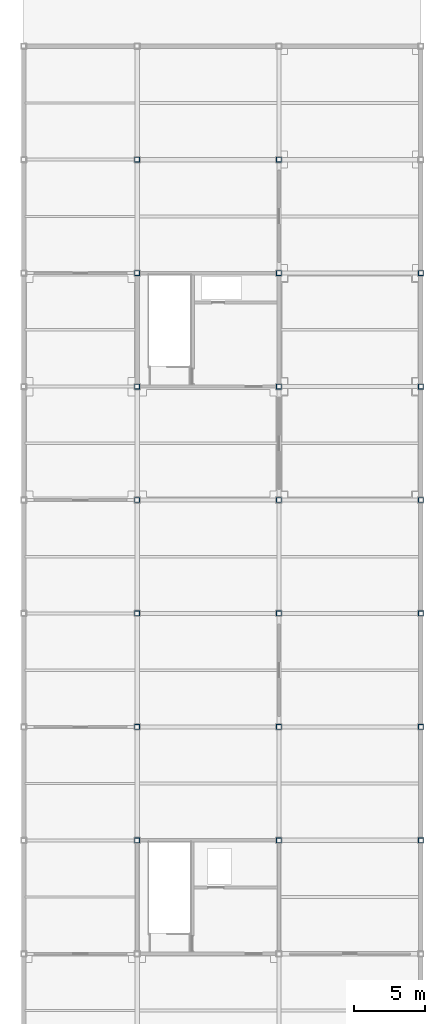
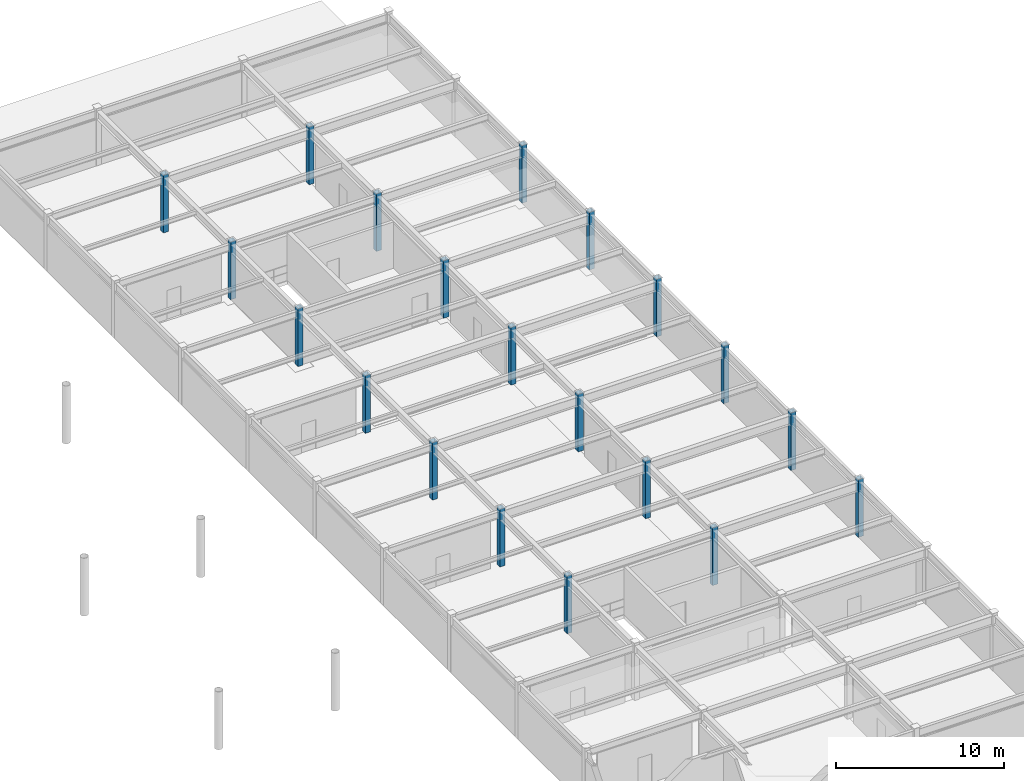
# One storey, part 14 of 78: 20 columns.
"""IFC4 building model written with IfcOpenShell, lengths in metres."""

from ifc_helpers import new_model, si_unit, direction, frame, origin, origin_2d, place, context, subcontext, project, spatial, hollow_rectangle, extrude, material, material_profile, profile_set, type_object, element, save


model = new_model("IFC4")

# Units and contexts
model_context = context("Model", 3, precision=1e-05, world=origin(), true_north=direction((0.0, 1.0)))
body_context = subcontext(model_context, "Body", "Model", "MODEL_VIEW")
ifc_project = project(units=[si_unit("LENGTHUNIT", "METRE"), si_unit("AREAUNIT", "SQUARE_METRE"), si_unit("VOLUMEUNIT", "CUBIC_METRE"), si_unit("PLANEANGLEUNIT", "RADIAN"), si_unit("MASSUNIT", "GRAM", prefix="KILO")], contexts=[model_context])

# Site, building, storey
site_placement = place(None, origin())
site = spatial("IfcSite", under=ifc_project, at=site_placement, CompositionType="ELEMENT")
building_placement = place(site_placement, origin())
building = spatial("IfcBuilding", under=site, at=building_placement, Name="Haebicheon Civic Stadium", CompositionType="ELEMENT")
storey_placement = place(building_placement, frame((0.0, 0.0, 18.60009765625)))
storey = spatial("IfcBuildingStorey", under=building, at=storey_placement, Name="L05", CompositionType="ELEMENT", Elevation=18.60009765625)

# Columns
ifc_material = material(Name="Steel SM490", Category="steel")
ifc_material_profile = material_profile(ifc_material, hollow_rectangle(XDim=0.35009765625, YDim=0.35009765625, WallThickness=0.01611328125, at=origin_2d()), Name="RHS-350x350x16.0")
ifc_profile_set = profile_set([ifc_material_profile], Name="Steel SM490")
column_type = type_object("IfcColumnType", Name="COL-ST-RHS350", PredefinedType="COLUMN", material=ifc_profile_set)
for number, where, z_axis, x_axis, name in (
    (1, (216.0, 72.0, 0.0), (0.0, 0.0, 1.0), (1.0, 0.0, 0.0), "L05 column 28/K"),
    (2, (216.0, 80.0, 0.0), (0.0, 0.0, 1.0), (1.0, 0.0, 0.0), "L05 column 28/L"),
    (3, (216.0, 88.0, 0.0), (0.0, 0.0, 1.0), (1.0, 0.0, 0.0), "L05 column 28/M"),
    (4, (216.0, 96.0, 0.0), (0.0, 0.0, 1.0), (1.0, 0.0, 0.0), "L05 column 28/N"),
    (5, (216.0, 104.0, 0.0), (0.0, 0.0, 1.0), (1.0, 0.0, 0.0), "L05 column 28/P"),
    (6, (216.0, 112.0, 0.0), (0.0, 0.0, 1.0), (1.0, 0.0, 0.0), "L05 column 28/Q"),
    (7, (216.0, 120.0, 0.0), (0.0, 0.0, 1.0), (1.0, 0.0, 0.0), "L05 column 28/R"),
    (8, (226.0, 72.0, 0.0), (0.0, 0.0, 1.0), (1.0, 0.0, 0.0), "L05 column 29/K"),
    (9, (226.0, 80.0, 0.0), (0.0, 0.0, 1.0), (1.0, 0.0, 0.0), "L05 column 29/L"),
    (10, (226.0, 88.0, 0.0), (0.0, 0.0, 1.0), (1.0, 0.0, 0.0), "L05 column 29/M"),
    (11, (226.0, 96.0, 0.0), (0.0, 0.0, 1.0), (1.0, 0.0, 0.0), "L05 column 29/N"),
    (12, (226.0, 104.0, 0.0), (0.0, 0.0, 1.0), (1.0, 0.0, 0.0), "L05 column 29/P"),
    (13, (226.0, 112.0, 0.0), (0.0, 0.0, 1.0), (1.0, 0.0, 0.0), "L05 column 29/Q"),
    (14, (226.0, 120.0, 0.0), (0.0, 0.0, 1.0), (1.0, 0.0, 0.0), "L05 column 29/R"),
    (15, (236.0, 72.0, 0.0), (0.0, 0.0, 1.0), (1.0, 0.0, 0.0), "L05 column 30/K"),
    (16, (236.0, 80.0, 0.0), (0.0, 0.0, 1.0), (1.0, 0.0, 0.0), "L05 column 30/L"),
    (17, (236.0, 88.0, 0.0), (0.0, 0.0, 1.0), (1.0, 0.0, 0.0), "L05 column 30/M"),
    (18, (236.0, 96.0, 0.0), (0.0, 0.0, 1.0), (1.0, 0.0, 0.0), "L05 column 30/N"),
    (19, (236.0, 104.0, 0.0), (0.0, 0.0, 1.0), (1.0, 0.0, 0.0), "L05 column 30/P"),
    (20, (236.0, 112.0, 0.0), (0.0, 0.0, 1.0), (1.0, 0.0, 0.0), "L05 column 30/Q"),
):
    element("IfcColumn", number, at=place(storey_placement, frame(where, z_axis=z_axis, x_axis=x_axis)), inside=storey, type_object=column_type, material=ifc_profile_set, Name=name, PredefinedType="COLUMN", context=body_context, shape_type="SweptSolid", body=[
        extrude(hollow_rectangle(XDim=0.35009765625, YDim=0.35009765625, WallThickness=0.01611328125, at=origin_2d()), origin(), (0.0, 0.0, 1.0), 4.199951171875),
    ])

save(model, "model.ifc")
